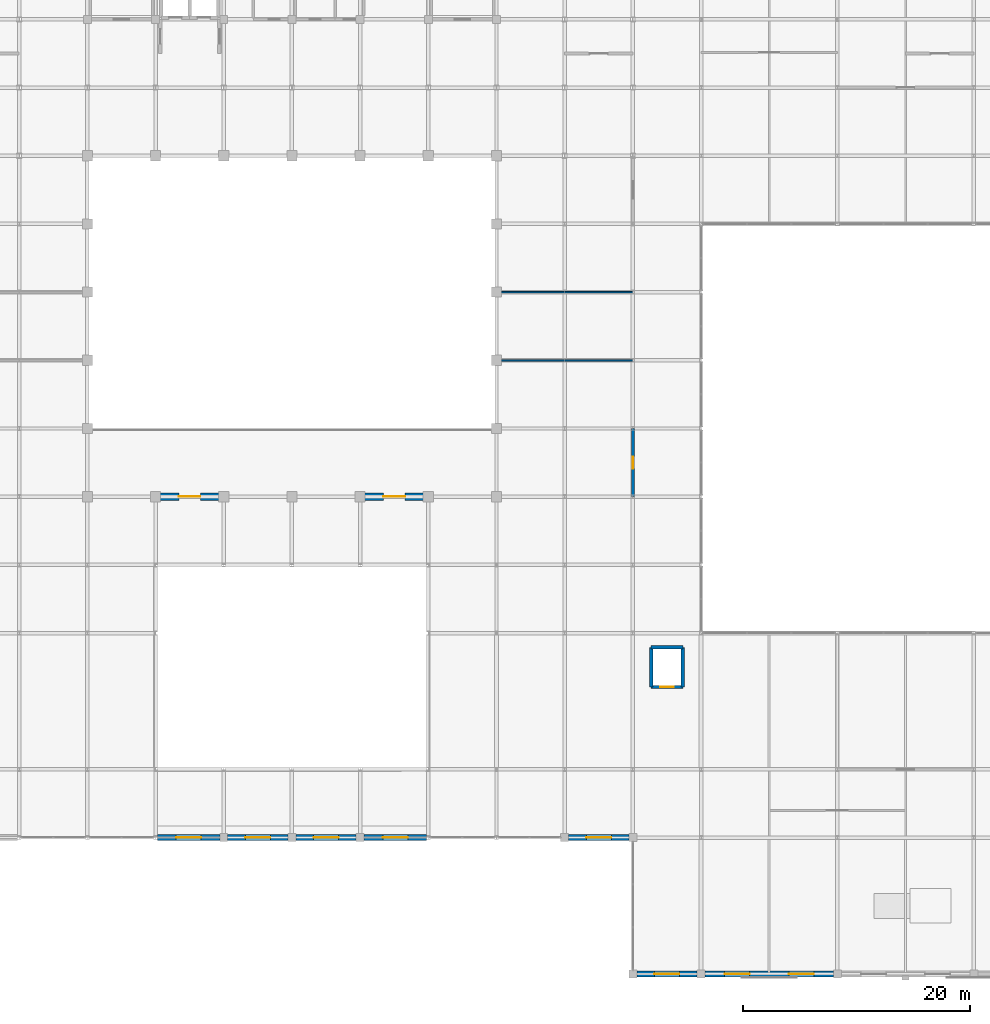
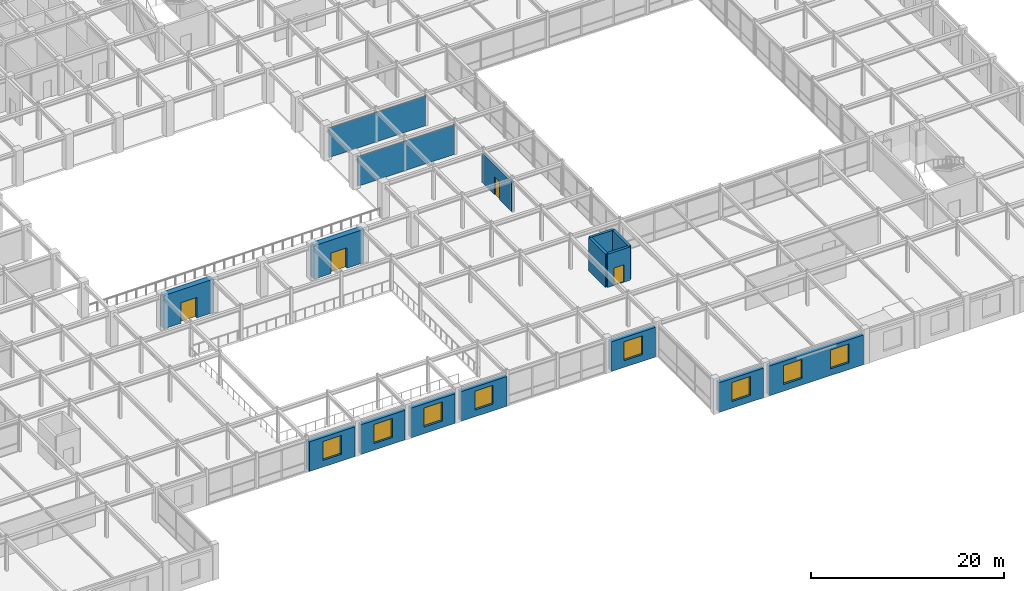
# One storey, part 99 of 108: 16 walls, 8 windows, 4 doors, 12 openings.
"""IFC4 building model written with IfcOpenShell, lengths in metres."""

from ifc_helpers import new_model, si_unit, direction, frame, frame_2d, origin, place, context, subcontext, project, spatial, rectangle, extrude, material, layer, layer_set, type_object, element, fill, save


model = new_model("IFC4")

# Units and contexts
model_context = context("Model", 3, precision=1e-05, world=origin(), true_north=direction((0.0, 1.0)))
body_context = subcontext(model_context, "Body", "Model", "MODEL_VIEW")
ifc_project = project(units=[si_unit("LENGTHUNIT", "METRE"), si_unit("AREAUNIT", "SQUARE_METRE"), si_unit("VOLUMEUNIT", "CUBIC_METRE"), si_unit("PLANEANGLEUNIT", "RADIAN"), si_unit("MASSUNIT", "GRAM", prefix="KILO")], contexts=[model_context])

# Site, building, storey
site_placement = place(None, origin())
site = spatial("IfcSite", under=ifc_project, at=site_placement, CompositionType="ELEMENT")
building_placement = place(site_placement, origin())
building = spatial("IfcBuilding", under=site, at=building_placement, Name="Zlatovratsky Civic Hall", CompositionType="ELEMENT")
storey_placement = place(building_placement, frame((0.0, 0.0, 12.0)))
storey = spatial("IfcBuildingStorey", under=building, at=storey_placement, Name="L03", CompositionType="ELEMENT", Elevation=12.0)

# Wall, opening, door
ifc_material_1 = material(Name="Acoustic ceramic blockwork", Category="masonry")
ifc_layer_1 = layer(ifc_material_1, 0.260009765625)
ifc_layer_set_1 = layer_set([ifc_layer_1], Name="Acoustic ceramic blockwork")
wall_type_1 = type_object("IfcWallType", Name="Wall_ArchiveCompartment_260", PredefinedType="PARTITIONING", material=ifc_layer_set_1)
wall_1_placement = place(storey_placement, frame((114.0, 42.0, 0.0), z_axis=(0.0, 0.0, 1.0), x_axis=(0.0, 1.0, 0.0)))
wall_1 = element("IfcWall", 1, at=wall_1_placement, inside=storey, type_object=wall_type_1, Name="WL-6189", PredefinedType="PARTITIONING", context=body_context, shape_type="SweptSolid", body=[
    extrude(rectangle(XDim=6.0, YDim=0.260009765625, at=frame_2d((3.0, 0.0))), origin(), (0.0, 0.0, 1.0), 3.738037109375),
])
opening_1_placement = place(wall_1_placement, frame((2.47509765625, 0.0, 0.0)))
opening_1 = element("IfcOpeningElement", 2, at=opening_1_placement, cuts=wall_1, Name="Opening D-24", PredefinedType="OPENING", context=body_context, shape_type="SweptSolid", body=[
    extrude(rectangle(XDim=1.050048828125, YDim=2.25, at=frame_2d((0.52490234375, 1.125))), frame((0.0, 0.14501953125, 0.0), z_axis=(0.0, -1.0, 0.0), x_axis=(1.0, 0.0, 0.0)), (0.0, 0.0, 1.0), 0.289794921875),
])
ifc_material_2 = material(Name="Solid oak joinery in steel frame", Category="steel")
door_type_1 = type_object("IfcDoorType", Name="Door_DirectorateOffice_1050x2250", OperationType="NOTDEFINED", PredefinedType="DOOR", material=ifc_material_2)
door_1_placement = place(opening_1_placement, origin())
door_1 = element("IfcDoor", 3, at=door_1_placement, inside=storey, type_object=door_type_1, Name="DR-5310", OperationType="SINGLE_SWING_LEFT", OverallHeight=2.25, OverallWidth=1.050048828125, PredefinedType="DOOR", context=body_context, shape_type="SweptSolid", body=[
    extrude(rectangle(XDim=1.050048828125, YDim=2.25, at=frame_2d((0.52490234375, 1.125))), frame((0.0, 0.02490234375, 0.0), z_axis=(0.0, -1.0, 0.0), x_axis=(1.0, 0.0, 0.0)), (0.0, 0.0, 1.0), 0.050048828125),
])
fill(opening_1, door_1)

ifc_material_3 = material(Name="Concrete C35/45 (B40)", Category="concrete")
ifc_layer_2 = layer(ifc_material_3, 0.5400390625, Name="Structural backing")
ifc_material_4 = material(Name="Polished Karelian granite ashlar", Category="masonry")
ifc_layer_3 = layer(ifc_material_4, 0.139892578125, Name="Finish")
ifc_layer_set_2 = layer_set([ifc_layer_2, ifc_layer_3], Name="Concrete C35/45 (B40)")
wall_type_2 = type_object("IfcWallType", Name="Wall_ChamberDrum_680", PredefinedType="SOLIDWALL", material=ifc_layer_set_2)
wall_2_placement = place(storey_placement, frame((72.0, 42.0, 0.0), z_axis=(0.0, 0.0, 1.0), x_axis=(1.0, 0.0, 0.0)))
wall_2 = element("IfcWall", 4, at=wall_2_placement, inside=storey, type_object=wall_type_2, Name="WL-6169", PredefinedType="SOLIDWALL", context=body_context, shape_type="SweptSolid", body=[
    extrude(rectangle(XDim=6.0, YDim=0.679931640625, at=frame_2d((3.0, 0.0))), origin(), (0.0, 0.0, 1.0), 4.219970703125),
])
opening_2_placement = place(wall_2_placement, frame((2.050048828125, 0.0, 0.0)))
opening_2 = element("IfcOpeningElement", 5, at=opening_2_placement, cuts=wall_2, Name="Opening D-12", PredefinedType="OPENING", context=body_context, shape_type="SweptSolid", body=[
    extrude(rectangle(XDim=1.89990234375, YDim=2.60009765625, at=frame_2d((0.949951171875, 1.300048828125))), frame((0.0, 0.35498046875, 0.0), z_axis=(0.0, -1.0, 0.0), x_axis=(1.0, 0.0, 0.0)), (0.0, 0.0, 1.0), 0.709716796875),
])
door_type_2 = type_object("IfcDoorType", Name="Door_PublicGalleryEntry_1900x2600", OperationType="DOUBLE_DOOR_SINGLE_SWING", PredefinedType="DOOR", material=ifc_material_2)
door_2_placement = place(opening_2_placement, origin())
door_2 = element("IfcDoor", 6, at=door_2_placement, inside=storey, type_object=door_type_2, Name="DR-5290", OperationType="DOUBLE_DOOR_SINGLE_SWING", OverallHeight=2.60009765625, OverallWidth=1.89990234375, PredefinedType="DOOR", context=body_context, shape_type="SweptSolid", body=[
    extrude(rectangle(XDim=1.89990234375, YDim=2.60009765625, at=frame_2d((0.949951171875, 1.300048828125))), frame((0.0, 0.02490234375, 0.0), z_axis=(0.0, -1.0, 0.0), x_axis=(1.0, 0.0, 0.0)), (0.0, 0.0, 1.0), 0.050048828125),
])
fill(opening_2, door_2)

wall_3_placement = place(storey_placement, frame((90.0, 42.0, 0.0), z_axis=(0.0, 0.0, 1.0), x_axis=(1.0, 0.0, 0.0)))
wall_3 = element("IfcWall", 7, at=wall_3_placement, inside=storey, type_object=wall_type_2, Name="WL-6170", PredefinedType="SOLIDWALL", context=body_context, shape_type="SweptSolid", body=[
    extrude(rectangle(XDim=6.0, YDim=0.679931640625, at=frame_2d((3.0, 0.0))), origin(), (0.0, 0.0, 1.0), 4.219970703125),
])
opening_3_placement = place(wall_3_placement, frame((2.050048828125, 0.0, 0.0)))
opening_3 = element("IfcOpeningElement", 8, at=opening_3_placement, cuts=wall_3, Name="Opening D-12", PredefinedType="OPENING", context=body_context, shape_type="SweptSolid", body=[
    extrude(rectangle(XDim=1.89990234375, YDim=2.60009765625, at=frame_2d((0.949951171875, 1.300048828125))), frame((0.0, 0.35498046875, 0.0), z_axis=(0.0, -1.0, 0.0), x_axis=(1.0, 0.0, 0.0)), (0.0, 0.0, 1.0), 0.709716796875),
])
door_3_placement = place(opening_3_placement, origin())
door_3 = element("IfcDoor", 9, at=door_3_placement, inside=storey, type_object=door_type_2, Name="DR-5291", OperationType="DOUBLE_DOOR_SINGLE_SWING", OverallHeight=2.60009765625, OverallWidth=1.89990234375, PredefinedType="DOOR", context=body_context, shape_type="SweptSolid", body=[
    extrude(rectangle(XDim=1.89990234375, YDim=2.60009765625, at=frame_2d((0.949951171875, 1.300048828125))), frame((0.0, 0.02490234375, 0.0), z_axis=(0.0, -1.0, 0.0), x_axis=(1.0, 0.0, 0.0)), (0.0, 0.0, 1.0), 0.050048828125),
])
fill(opening_3, door_3)

# Walls
ifc_material_5 = material(Name="Fire-rated gypsum board framing", Category="gypsum")
ifc_layer_4 = layer(ifc_material_5, 0.139892578125)
ifc_layer_set_3 = layer_set([ifc_layer_4], Name="Fire-rated gypsum board framing")
wall_type_3 = type_object("IfcWallType", Name="Wall_OfficePartition_140", PredefinedType="PARTITIONING", material=ifc_layer_set_3)
for number, where, z_axis, x_axis, name in (
    (10, (102.340087890625, 54.0, 0.0), (0.0, 0.0, 1.0), (1.0, 0.0, 0.0), "WL-6199"),
    (11, (102.340087890625, 60.0, 0.0), (0.0, 0.0, 1.0), (1.0, 0.0, 0.0), "WL-6200"),
):
    element("IfcWall", number, at=place(storey_placement, frame(where, z_axis=z_axis, x_axis=x_axis)), inside=storey, type_object=wall_type_3, Name=name, PredefinedType="PARTITIONING", context=body_context, shape_type="SweptSolid", body=[
        extrude(rectangle(XDim=11.659912109375, YDim=0.139892578125, at=frame_2d((5.830078125, 0.0))), origin(), (0.0, 0.0, 1.0), 3.738037109375),
    ])

# Wall, opening, window
ifc_layer_5 = layer(ifc_material_1, 0.39990234375, Name="Backing")
ifc_layer_6 = layer(ifc_material_4, 0.139892578125, Name="Finish")
ifc_layer_set_4 = layer_set([ifc_layer_5, ifc_layer_6], Name="Acoustic ceramic blockwork")
wall_type_4 = type_object("IfcWallType", Name="Wall_PodiumGraniteArcade_540", PredefinedType="SOLIDWALL", material=ifc_layer_set_4)
wall_4_placement = place(storey_placement, frame((114.35009765625, 0.0, 0.0), z_axis=(0.0, 0.0, 1.0), x_axis=(1.0, 0.0, 0.0)))
wall_4 = element("IfcWall", 12, at=wall_4_placement, inside=storey, type_object=wall_type_4, Name="WL-0247", PredefinedType="SOLIDWALL", context=body_context, shape_type="SweptSolid", body=[
    extrude(rectangle(XDim=5.2998046875, YDim=0.5400390625, at=frame_2d((2.64990234375, 0.0))), origin(), (0.0, 0.0, 1.0), 3.77001953125),
])
opening_4_placement = place(wall_4_placement, frame((1.550048828125, 0.0, 0.85009765625)))
opening_4 = element("IfcOpeningElement", 13, at=opening_4_placement, cuts=wall_4, Name="Opening WN-07", PredefinedType="OPENING", context=body_context, shape_type="SweptSolid", body=[
    extrude(rectangle(XDim=2.199951171875, YDim=2.39990234375, at=frame_2d((1.10009765625, 1.199951171875))), frame((0.0, 0.284912109375, 0.0), z_axis=(0.0, -1.0, 0.0), x_axis=(1.0, 0.0, 0.0)), (0.0, 0.0, 1.0), 0.56982421875),
])
ifc_material_6 = material(Name="Low-E laminated double glazing", Category="glass")
window_type = type_object("IfcWindowType", Name="Window_GalleryClerestory_2200x2400", PartitioningType="SINGLE_PANEL", PredefinedType="WINDOW", material=ifc_material_6)
window_1_placement = place(opening_4_placement, origin())
window_1 = element("IfcWindow", 14, at=window_1_placement, inside=storey, type_object=window_type, Name="WN-0174", OverallHeight=2.39990234375, OverallWidth=2.199951171875, PartitioningType="SINGLE_PANEL", PredefinedType="WINDOW", context=body_context, shape_type="SweptSolid", body=[
    extrude(rectangle(XDim=2.199951171875, YDim=2.39990234375, at=frame_2d((1.10009765625, 1.199951171875))), frame((0.0, 0.030029296875, 0.0), z_axis=(0.0, -1.0, 0.0), x_axis=(1.0, 0.0, 0.0)), (0.0, 0.0, 1.0), 0.06005859375),
])
fill(opening_4, window_1)

# Wall, openings, windows
wall_5_placement = place(storey_placement, frame((120.35009765625, 0.0, 0.0), z_axis=(0.0, 0.0, 1.0), x_axis=(1.0, 0.0, 0.0)))
wall_5 = element("IfcWall", 15, at=wall_5_placement, inside=storey, type_object=wall_type_4, Name="WL-0248", PredefinedType="SOLIDWALL", context=body_context, shape_type="SweptSolid", body=[
    extrude(rectangle(XDim=11.2998046875, YDim=0.5400390625, at=frame_2d((5.64990234375, 0.0))), origin(), (0.0, 0.0, 1.0), 3.77001953125),
])
opening_5_placement = place(wall_5_placement, frame((1.72509765625, 0.0, 0.85009765625)))
opening_5 = element("IfcOpeningElement", 16, at=opening_5_placement, cuts=wall_5, Name="Opening WN-07", PredefinedType="OPENING", context=body_context, shape_type="SweptSolid", body=[
    extrude(rectangle(XDim=2.199951171875, YDim=2.39990234375, at=frame_2d((1.10009765625, 1.199951171875))), frame((0.0, 0.284912109375, 0.0), z_axis=(0.0, -1.0, 0.0), x_axis=(1.0, 0.0, 0.0)), (0.0, 0.0, 1.0), 0.56982421875),
])
opening_6_placement = place(wall_5_placement, frame((7.375, 0.0, 0.85009765625)))
opening_6 = element("IfcOpeningElement", 17, at=opening_6_placement, cuts=wall_5, Name="Opening WN-07", PredefinedType="OPENING", context=body_context, shape_type="SweptSolid", body=[
    extrude(rectangle(XDim=2.199951171875, YDim=2.39990234375, at=frame_2d((1.10009765625, 1.199951171875))), frame((0.0, 0.284912109375, 0.0), z_axis=(0.0, -1.0, 0.0), x_axis=(1.0, 0.0, 0.0)), (0.0, 0.0, 1.0), 0.56982421875),
])
window_2_placement = place(opening_5_placement, origin())
window_2 = element("IfcWindow", 18, at=window_2_placement, inside=storey, type_object=window_type, Name="WN-0175", OverallHeight=2.39990234375, OverallWidth=2.199951171875, PartitioningType="SINGLE_PANEL", PredefinedType="WINDOW", context=body_context, shape_type="SweptSolid", body=[
    extrude(rectangle(XDim=2.199951171875, YDim=2.39990234375, at=frame_2d((1.10009765625, 1.199951171875))), frame((0.0, 0.030029296875, 0.0), z_axis=(0.0, -1.0, 0.0), x_axis=(1.0, 0.0, 0.0)), (0.0, 0.0, 1.0), 0.06005859375),
])
fill(opening_5, window_2)
window_3_placement = place(opening_6_placement, origin())
window_3 = element("IfcWindow", 19, at=window_3_placement, inside=storey, type_object=window_type, Name="WN-0176", OverallHeight=2.39990234375, OverallWidth=2.199951171875, PartitioningType="SINGLE_PANEL", PredefinedType="WINDOW", context=body_context, shape_type="SweptSolid", body=[
    extrude(rectangle(XDim=2.199951171875, YDim=2.39990234375, at=frame_2d((1.10009765625, 1.199951171875))), frame((0.0, 0.030029296875, 0.0), z_axis=(0.0, -1.0, 0.0), x_axis=(1.0, 0.0, 0.0)), (0.0, 0.0, 1.0), 0.06005859375),
])
fill(opening_6, window_3)

# Wall, opening, window
wall_6_placement = place(storey_placement, frame((72.1494140625, 12.0, 0.0), z_axis=(0.0, 0.0, 1.0), x_axis=(1.0, 0.0, 0.0)))
wall_6 = element("IfcWall", 20, at=wall_6_placement, inside=storey, type_object=wall_type_4, Name="WL-0254", PredefinedType="SOLIDWALL", context=body_context, shape_type="SweptSolid", body=[
    extrude(rectangle(XDim=5.50048828125, YDim=0.5400390625, at=frame_2d((2.750244140625, 0.0))), origin(), (0.0, 0.0, 1.0), 3.77001953125),
])
opening_7_placement = place(wall_6_placement, frame((1.64990234375, 0.0, 0.85009765625)))
opening_7 = element("IfcOpeningElement", 21, at=opening_7_placement, cuts=wall_6, Name="Opening WN-07", PredefinedType="OPENING", context=body_context, shape_type="SweptSolid", body=[
    extrude(rectangle(XDim=2.199951171875, YDim=2.39990234375, at=frame_2d((1.10009765625, 1.199951171875))), frame((0.0, 0.284912109375, 0.0), z_axis=(0.0, -1.0, 0.0), x_axis=(1.0, 0.0, 0.0)), (0.0, 0.0, 1.0), 0.56982421875),
])
window_4_placement = place(opening_7_placement, origin())
window_4 = element("IfcWindow", 22, at=window_4_placement, inside=storey, type_object=window_type, Name="WN-0184", OverallHeight=2.39990234375, OverallWidth=2.199951171875, PartitioningType="SINGLE_PANEL", PredefinedType="WINDOW", context=body_context, shape_type="SweptSolid", body=[
    extrude(rectangle(XDim=2.199951171875, YDim=2.39990234375, at=frame_2d((1.10009765625, 1.199951171875))), frame((0.0, 0.030029296875, 0.0), z_axis=(0.0, -1.0, 0.0), x_axis=(1.0, 0.0, 0.0)), (0.0, 0.0, 1.0), 0.06005859375),
])
fill(opening_7, window_4)

wall_7_placement = place(storey_placement, frame((78.35009765625, 12.0, 0.0), z_axis=(0.0, 0.0, 1.0), x_axis=(1.0, 0.0, 0.0)))
wall_7 = element("IfcWall", 23, at=wall_7_placement, inside=storey, type_object=wall_type_4, Name="WL-0255", PredefinedType="SOLIDWALL", context=body_context, shape_type="SweptSolid", body=[
    extrude(rectangle(XDim=5.2998046875, YDim=0.5400390625, at=frame_2d((2.64990234375, 0.0))), origin(), (0.0, 0.0, 1.0), 3.77001953125),
])
opening_8_placement = place(wall_7_placement, frame((1.550048828125, 0.0, 0.85009765625)))
opening_8 = element("IfcOpeningElement", 24, at=opening_8_placement, cuts=wall_7, Name="Opening WN-07", PredefinedType="OPENING", context=body_context, shape_type="SweptSolid", body=[
    extrude(rectangle(XDim=2.199951171875, YDim=2.39990234375, at=frame_2d((1.10009765625, 1.199951171875))), frame((0.0, 0.284912109375, 0.0), z_axis=(0.0, -1.0, 0.0), x_axis=(1.0, 0.0, 0.0)), (0.0, 0.0, 1.0), 0.56982421875),
])
window_5_placement = place(opening_8_placement, origin())
window_5 = element("IfcWindow", 25, at=window_5_placement, inside=storey, type_object=window_type, Name="WN-0185", OverallHeight=2.39990234375, OverallWidth=2.199951171875, PartitioningType="SINGLE_PANEL", PredefinedType="WINDOW", context=body_context, shape_type="SweptSolid", body=[
    extrude(rectangle(XDim=2.199951171875, YDim=2.39990234375, at=frame_2d((1.10009765625, 1.199951171875))), frame((0.0, 0.030029296875, 0.0), z_axis=(0.0, -1.0, 0.0), x_axis=(1.0, 0.0, 0.0)), (0.0, 0.0, 1.0), 0.06005859375),
])
fill(opening_8, window_5)

wall_8_placement = place(storey_placement, frame((84.35009765625, 12.0, 0.0), z_axis=(0.0, 0.0, 1.0), x_axis=(1.0, 0.0, 0.0)))
wall_8 = element("IfcWall", 26, at=wall_8_placement, inside=storey, type_object=wall_type_4, Name="WL-0256", PredefinedType="SOLIDWALL", context=body_context, shape_type="SweptSolid", body=[
    extrude(rectangle(XDim=5.2998046875, YDim=0.5400390625, at=frame_2d((2.64990234375, 0.0))), origin(), (0.0, 0.0, 1.0), 3.77001953125),
])
opening_9_placement = place(wall_8_placement, frame((1.550048828125, 0.0, 0.85009765625)))
opening_9 = element("IfcOpeningElement", 27, at=opening_9_placement, cuts=wall_8, Name="Opening WN-07", PredefinedType="OPENING", context=body_context, shape_type="SweptSolid", body=[
    extrude(rectangle(XDim=2.199951171875, YDim=2.39990234375, at=frame_2d((1.10009765625, 1.199951171875))), frame((0.0, 0.284912109375, 0.0), z_axis=(0.0, -1.0, 0.0), x_axis=(1.0, 0.0, 0.0)), (0.0, 0.0, 1.0), 0.56982421875),
])
window_6_placement = place(opening_9_placement, origin())
window_6 = element("IfcWindow", 28, at=window_6_placement, inside=storey, type_object=window_type, Name="WN-0186", OverallHeight=2.39990234375, OverallWidth=2.199951171875, PartitioningType="SINGLE_PANEL", PredefinedType="WINDOW", context=body_context, shape_type="SweptSolid", body=[
    extrude(rectangle(XDim=2.199951171875, YDim=2.39990234375, at=frame_2d((1.10009765625, 1.199951171875))), frame((0.0, 0.030029296875, 0.0), z_axis=(0.0, -1.0, 0.0), x_axis=(1.0, 0.0, 0.0)), (0.0, 0.0, 1.0), 0.06005859375),
])
fill(opening_9, window_6)

wall_9_placement = place(storey_placement, frame((90.35009765625, 12.0, 0.0), z_axis=(0.0, 0.0, 1.0), x_axis=(1.0, 0.0, 0.0)))
wall_9 = element("IfcWall", 29, at=wall_9_placement, inside=storey, type_object=wall_type_4, Name="WL-0257", PredefinedType="SOLIDWALL", context=body_context, shape_type="SweptSolid", body=[
    extrude(rectangle(XDim=5.50048828125, YDim=0.5400390625, at=frame_2d((2.750244140625, 0.0))), origin(), (0.0, 0.0, 1.0), 3.77001953125),
])
opening_10_placement = place(wall_9_placement, frame((1.64990234375, 0.0, 0.85009765625)))
opening_10 = element("IfcOpeningElement", 30, at=opening_10_placement, cuts=wall_9, Name="Opening WN-07", PredefinedType="OPENING", context=body_context, shape_type="SweptSolid", body=[
    extrude(rectangle(XDim=2.199951171875, YDim=2.39990234375, at=frame_2d((1.10009765625, 1.199951171875))), frame((0.0, 0.284912109375, 0.0), z_axis=(0.0, -1.0, 0.0), x_axis=(1.0, 0.0, 0.0)), (0.0, 0.0, 1.0), 0.56982421875),
])
window_7_placement = place(opening_10_placement, origin())
window_7 = element("IfcWindow", 31, at=window_7_placement, inside=storey, type_object=window_type, Name="WN-0187", OverallHeight=2.39990234375, OverallWidth=2.199951171875, PartitioningType="SINGLE_PANEL", PredefinedType="WINDOW", context=body_context, shape_type="SweptSolid", body=[
    extrude(rectangle(XDim=2.199951171875, YDim=2.39990234375, at=frame_2d((1.10009765625, 1.199951171875))), frame((0.0, 0.030029296875, 0.0), z_axis=(0.0, -1.0, 0.0), x_axis=(1.0, 0.0, 0.0)), (0.0, 0.0, 1.0), 0.06005859375),
])
fill(opening_10, window_7)

wall_10_placement = place(storey_placement, frame((108.35009765625, 12.0, 0.0), z_axis=(0.0, 0.0, 1.0), x_axis=(1.0, 0.0, 0.0)))
wall_10 = element("IfcWall", 32, at=wall_10_placement, inside=storey, type_object=wall_type_4, Name="WL-0258", PredefinedType="SOLIDWALL", context=body_context, shape_type="SweptSolid", body=[
    extrude(rectangle(XDim=5.2998046875, YDim=0.5400390625, at=frame_2d((2.64990234375, 0.0))), origin(), (0.0, 0.0, 1.0), 3.77001953125),
])
opening_11_placement = place(wall_10_placement, frame((1.550048828125, 0.0, 0.85009765625)))
opening_11 = element("IfcOpeningElement", 33, at=opening_11_placement, cuts=wall_10, Name="Opening WN-07", PredefinedType="OPENING", context=body_context, shape_type="SweptSolid", body=[
    extrude(rectangle(XDim=2.199951171875, YDim=2.39990234375, at=frame_2d((1.10009765625, 1.199951171875))), frame((0.0, 0.284912109375, 0.0), z_axis=(0.0, -1.0, 0.0), x_axis=(1.0, 0.0, 0.0)), (0.0, 0.0, 1.0), 0.56982421875),
])
window_8_placement = place(opening_11_placement, origin())
window_8 = element("IfcWindow", 34, at=window_8_placement, inside=storey, type_object=window_type, Name="WN-0188", OverallHeight=2.39990234375, OverallWidth=2.199951171875, PartitioningType="SINGLE_PANEL", PredefinedType="WINDOW", context=body_context, shape_type="SweptSolid", body=[
    extrude(rectangle(XDim=2.199951171875, YDim=2.39990234375, at=frame_2d((1.10009765625, 1.199951171875))), frame((0.0, 0.030029296875, 0.0), z_axis=(0.0, -1.0, 0.0), x_axis=(1.0, 0.0, 0.0)), (0.0, 0.0, 1.0), 0.06005859375),
])
fill(opening_11, window_8)

# Wall, opening, door
ifc_layer_7 = layer(ifc_material_3, 0.300048828125)
ifc_layer_set_5 = layer_set([ifc_layer_7], Name="Concrete C35/45 (B40)")
wall_type_5 = type_object("IfcWallType", Name="Wall_StairAndLiftShaft_300", PredefinedType="SHEAR", material=ifc_layer_set_5)
wall_11_placement = place(storey_placement, frame((115.60009765625, 25.25, 0.0), z_axis=(0.0, 0.0, 1.0), x_axis=(1.0, 0.0, 0.0)))
wall_11 = element("IfcWall", 35, at=wall_11_placement, inside=storey, type_object=wall_type_5, Name="WL-6001", PredefinedType="SHEAR", context=body_context, shape_type="SweptSolid", body=[
    extrude(rectangle(XDim=2.7998046875, YDim=0.300048828125, at=frame_2d((1.39990234375, 0.0))), origin(), (0.0, 0.0, 1.0), 4.219970703125),
])
opening_12_placement = place(wall_11_placement, frame((0.800048828125, 0.0, 0.0)))
opening_12 = element("IfcOpeningElement", 36, at=opening_12_placement, cuts=wall_11, Name="Opening LD-04", PredefinedType="OPENING", context=body_context, shape_type="SweptSolid", body=[
    extrude(rectangle(XDim=1.199951171875, YDim=2.199951171875, at=frame_2d((0.60009765625, 1.10009765625))), frame((0.0, 0.1650390625, 0.0), z_axis=(0.0, -1.0, 0.0), x_axis=(1.0, 0.0, 0.0)), (0.0, 0.0, 1.0), 0.329833984375),
])
ifc_material_7 = material(Name="Brushed stainless steel AISI 304", Category="steel")
door_type_3 = type_object("IfcDoorType", Name="Door_LiftLandingShuttle_1200x2200", OperationType="DOUBLE_DOOR_SLIDING", PredefinedType="DOOR", material=ifc_material_7)
door_4_placement = place(opening_12_placement, origin())
door_4 = element("IfcDoor", 37, at=door_4_placement, inside=storey, type_object=door_type_3, Name="Lift landing door LD-5203", OperationType="DOUBLE_DOOR_SLIDING", OverallHeight=2.199951171875, OverallWidth=1.199951171875, PredefinedType="DOOR", context=body_context, shape_type="SweptSolid", body=[
    extrude(rectangle(XDim=1.199951171875, YDim=2.199951171875, at=frame_2d((0.60009765625, 1.10009765625))), frame((0.0, 0.02490234375, 0.0), z_axis=(0.0, -1.0, 0.0), x_axis=(1.0, 0.0, 0.0)), (0.0, 0.0, 1.0), 0.050048828125),
])
fill(opening_12, door_4)

# Walls
wall_12_placement = place(storey_placement, frame((115.60009765625, 28.75, 0.0), z_axis=(0.0, 0.0, 1.0), x_axis=(1.0, 0.0, 0.0)))
element("IfcWall", 38, at=wall_12_placement, inside=storey, type_object=wall_type_5, Name="WL-6002", PredefinedType="SHEAR", context=body_context, shape_type="SweptSolid", body=[
    extrude(rectangle(XDim=2.7998046875, YDim=0.300048828125, at=frame_2d((1.39990234375, 0.0))), origin(), (0.0, 0.0, 1.0), 4.219970703125),
])
for number, where, z_axis, x_axis, name in (
    (39, (115.60009765625, 25.25, 0.0), (0.0, 0.0, 1.0), (0.0, 1.0, 0.0), "WL-6003"),
    (40, (118.39990234375, 25.25, 0.0), (0.0, 0.0, 1.0), (0.0, 1.0, 0.0), "WL-6004"),
):
    element("IfcWall", number, at=place(storey_placement, frame(where, z_axis=z_axis, x_axis=x_axis)), inside=storey, type_object=wall_type_5, Name=name, PredefinedType="SHEAR", context=body_context, shape_type="SweptSolid", body=[
        extrude(rectangle(XDim=3.5, YDim=0.300048828125, at=frame_2d((1.75, 0.0))), origin(), (0.0, 0.0, 1.0), 4.219970703125),
    ])

save(model, "model.ifc")
